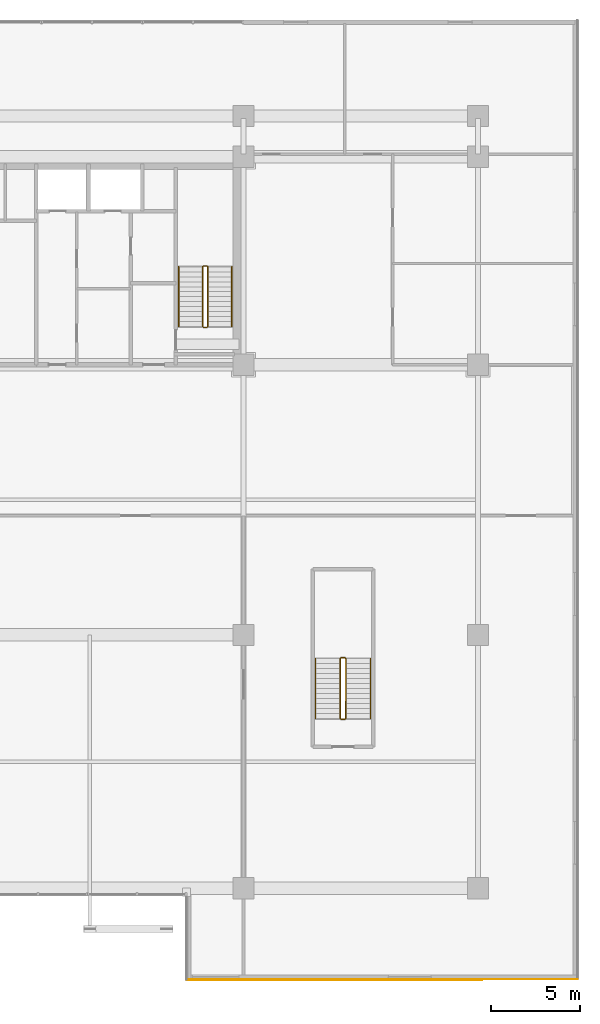
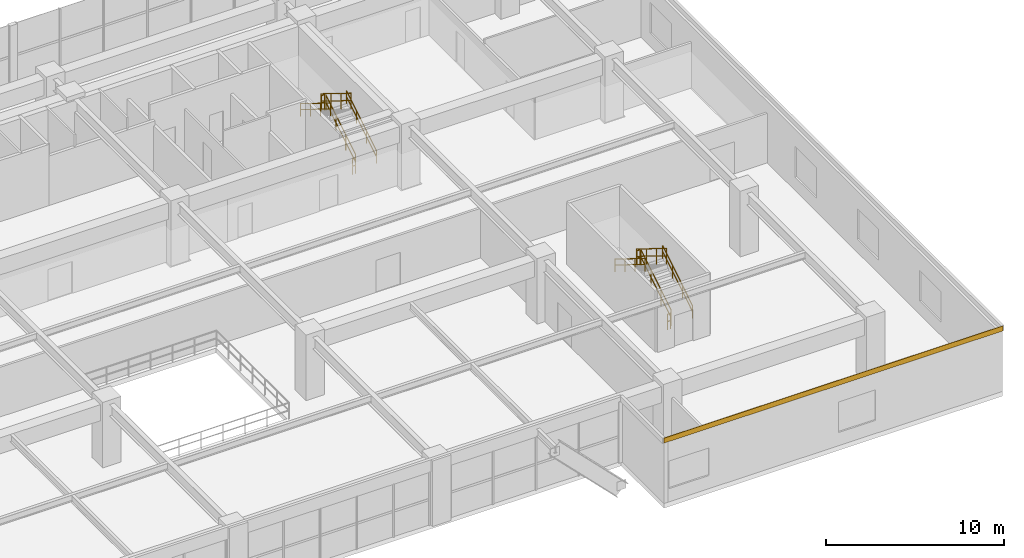
# One storey, part 23 of 24: 12 railings, 1 covering.
"""IFC4 building model written with IfcOpenShell, lengths in metres."""

from ifc_helpers import new_model, si_unit, direction, frame, origin, origin_2d, place, context, subcontext, project, spatial, rectangle, extrude, source, transform, mapped, material, layer, layer_set, type_object, element, save


model = new_model("IFC4")

# Units and contexts
model_context = context("Model", 3, precision=1e-05, world=origin(), true_north=direction((0.0, 1.0)))
body_context = subcontext(model_context, "Body", "Model", "MODEL_VIEW")
ifc_project = project(units=[si_unit("LENGTHUNIT", "METRE"), si_unit("AREAUNIT", "SQUARE_METRE"), si_unit("VOLUMEUNIT", "CUBIC_METRE"), si_unit("PLANEANGLEUNIT", "RADIAN"), si_unit("MASSUNIT", "GRAM", prefix="KILO")], contexts=[model_context])

# Site, building, storey
site_placement = place(None, origin())
site = spatial("IfcSite", under=ifc_project, at=site_placement, CompositionType="ELEMENT")
building_placement = place(site_placement, origin())
building = spatial("IfcBuilding", under=site, at=building_placement, Name="Trelvane Seafront Commons", CompositionType="ELEMENT")
storey_placement = place(building_placement, frame((0.0, 0.0, 5.199951171875)))
storey = spatial("IfcBuildingStorey", under=building, at=storey_placement, Name="L01", CompositionType="ELEMENT", Elevation=5.199951171875)

# Railings
ifc_material_1 = material(Name="Stainless steel balustrade", Category="steel")
railing_type_1 = type_object("IfcRailingType", Name="ARCH-SRL-GUARD", PredefinedType="GUARDRAIL", material=ifc_material_1)
railing_1_placement = place(storey_placement, frame((56.800048828125, 35.550048828125, 0.173095703125)))
element("IfcRailing", 1, at=railing_1_placement, inside=storey, type_object=railing_type_1, Name="L01 ST-2 stair guard 1", PredefinedType="GUARDRAIL", context=body_context, shape_type="SweptSolid", body=[
    extrude(rectangle(XDim=0.048095703125, YDim=0.048095703125, at=origin_2d()), frame((0.0, 0.0, 1.076171875), z_axis=(0.0, 0.850606129759, 0.525803396734), x_axis=(-1.0, 0.0, 0.0)), (0.0, 0.0, 1.0), 3.949951171875),
    extrude(rectangle(XDim=0.048095703125, YDim=0.048095703125, at=origin_2d()), frame((0.0, 0.0, 0.572021484375), z_axis=(0.0, 0.850606129759, 0.525803396734), x_axis=(-1.0, 0.0, 0.0)), (0.0, 0.0, 1.0), 3.949951171875),
    extrude(rectangle(XDim=0.0419921875, YDim=0.0419921875, at=origin_2d()), origin(), (0.0, 0.0, 1.0), 1.076171875),
    extrude(rectangle(XDim=0.0419921875, YDim=0.0419921875, at=origin_2d()), frame((0.0, 1.119873046875, 0.6923828125)), (0.0, 0.0, 1.0), 1.076171875),
    extrude(rectangle(XDim=0.0419921875, YDim=0.0419921875, at=origin_2d()), frame((0.0, 2.239990234375, 1.384521484375)), (0.0, 0.0, 1.0), 1.076171875),
    extrude(rectangle(XDim=0.0419921875, YDim=0.0419921875, at=origin_2d()), frame((0.0, 3.35986328125, 2.076904296875)), (0.0, 0.0, 1.0), 1.076171875),
])
railing_2_placement = place(storey_placement, frame((56.75, 38.9599609375, 2.25)))
element("IfcRailing", 2, at=railing_2_placement, inside=storey, type_object=railing_type_1, Name="L01 ST-2 stair guard 2", PredefinedType="GUARDRAIL", context=body_context, shape_type="SweptSolid", body=[
    extrude(rectangle(XDim=0.048095703125, YDim=0.048095703125, at=origin_2d()), frame((0.0, 0.0, 1.076171875), z_axis=(-1.0, 0.0, 0.0), x_axis=(0.0, -1.0, 0.0)), (0.0, 0.0, 1.0), 0.199951171875),
    extrude(rectangle(XDim=0.048095703125, YDim=0.048095703125, at=origin_2d()), frame((0.0, 0.0, 0.572021484375), z_axis=(-1.0, 0.0, 0.0), x_axis=(0.0, -1.0, 0.0)), (0.0, 0.0, 1.0), 0.199951171875),
    extrude(rectangle(XDim=0.0419921875, YDim=0.0419921875, at=origin_2d()), origin(), (0.0, 0.0, 1.0), 1.076171875),
    extrude(rectangle(XDim=0.0419921875, YDim=0.0419921875, at=origin_2d()), frame((-0.199951171875, 0.0, 0.0)), (0.0, 0.0, 1.0), 1.076171875),
])
railing_3_placement = place(storey_placement, frame((56.5, 38.909912109375, 2.423095703125)))
element("IfcRailing", 3, at=railing_3_placement, inside=storey, type_object=railing_type_1, Name="L01 ST-2 stair guard 3", PredefinedType="GUARDRAIL", context=body_context, shape_type="SweptSolid", body=[
    extrude(rectangle(XDim=0.048095703125, YDim=0.048095703125, at=origin_2d()), frame((0.0, 0.0, 1.076171875), z_axis=(0.0, -0.850606129759, 0.525803396734), x_axis=(1.0, 0.0, 0.0)), (0.0, 0.0, 1.0), 3.949951171875),
    extrude(rectangle(XDim=0.048095703125, YDim=0.048095703125, at=origin_2d()), frame((0.0, 0.0, 0.572021484375), z_axis=(0.0, -0.850606129759, 0.525803396734), x_axis=(1.0, 0.0, 0.0)), (0.0, 0.0, 1.0), 3.949951171875),
    extrude(rectangle(XDim=0.0419921875, YDim=0.0419921875, at=origin_2d()), origin(), (0.0, 0.0, 1.0), 1.076171875),
    extrude(rectangle(XDim=0.0419921875, YDim=0.0419921875, at=origin_2d()), frame((0.0, -1.119873046875, 0.6923828125)), (0.0, 0.0, 1.0), 1.076171875),
    extrude(rectangle(XDim=0.0419921875, YDim=0.0419921875, at=origin_2d()), frame((0.0, -2.239990234375, 1.384521484375)), (0.0, 0.0, 1.0), 1.076171875),
    extrude(rectangle(XDim=0.0419921875, YDim=0.0419921875, at=origin_2d()), frame((0.0, -3.35986328125, 2.076904296875)), (0.0, 0.0, 1.0), 1.076171875),
])
railing_4_placement = place(storey_placement, frame((56.75, 35.5, 0.0)))
element("IfcRailing", 4, at=railing_4_placement, inside=storey, type_object=railing_type_1, Name="L01 ST-2 stair guard 4", PredefinedType="GUARDRAIL", context=body_context, shape_type="SweptSolid", body=[
    extrude(rectangle(XDim=0.048095703125, YDim=0.048095703125, at=origin_2d()), frame((0.0, 0.0, 1.076171875), z_axis=(-1.0, 0.0, 0.0), x_axis=(0.0, -1.0, 0.0)), (0.0, 0.0, 1.0), 0.199951171875),
    extrude(rectangle(XDim=0.048095703125, YDim=0.048095703125, at=origin_2d()), frame((0.0, 0.0, 0.572021484375), z_axis=(-1.0, 0.0, 0.0), x_axis=(0.0, -1.0, 0.0)), (0.0, 0.0, 1.0), 0.199951171875),
    extrude(rectangle(XDim=0.0419921875, YDim=0.0419921875, at=origin_2d()), origin(), (0.0, 0.0, 1.0), 1.076171875),
    extrude(rectangle(XDim=0.0419921875, YDim=0.0419921875, at=origin_2d()), frame((-0.199951171875, 0.0, 0.0)), (0.0, 0.0, 1.0), 1.076171875),
])
railing_5_placement = place(storey_placement, frame((64.550048828125, 13.5, 0.173095703125)))
element("IfcRailing", 5, at=railing_5_placement, inside=storey, type_object=railing_type_1, Name="L01 ST-4 stair guard 1", PredefinedType="GUARDRAIL", context=body_context, shape_type="SweptSolid", body=[
    extrude(rectangle(XDim=0.048095703125, YDim=0.048095703125, at=origin_2d()), frame((0.0, 0.0, 1.076171875), z_axis=(0.0, 0.850623216509, 0.525775754039), x_axis=(-1.0, 0.0, 0.0)), (0.0, 0.0, 1.0), 3.9501953125),
    extrude(rectangle(XDim=0.048095703125, YDim=0.048095703125, at=origin_2d()), frame((0.0, 0.0, 0.572021484375), z_axis=(0.0, 0.850623216509, 0.525775754039), x_axis=(-1.0, 0.0, 0.0)), (0.0, 0.0, 1.0), 3.9501953125),
    extrude(rectangle(XDim=0.0419921875, YDim=0.0419921875, at=origin_2d()), origin(), (0.0, 0.0, 1.0), 1.076171875),
    extrude(rectangle(XDim=0.0419921875, YDim=0.0419921875, at=origin_2d()), frame((0.0, 1.1201171875, 0.6923828125)), (0.0, 0.0, 1.0), 1.076171875),
    extrude(rectangle(XDim=0.0419921875, YDim=0.0419921875, at=origin_2d()), frame((0.0, 2.239990234375, 1.384521484375)), (0.0, 0.0, 1.0), 1.076171875),
    extrude(rectangle(XDim=0.0419921875, YDim=0.0419921875, at=origin_2d()), frame((0.0, 3.360107421875, 2.076904296875)), (0.0, 0.0, 1.0), 1.076171875),
])
railing_6_placement = place(storey_placement, frame((64.5, 16.909912109375, 2.25)))
element("IfcRailing", 6, at=railing_6_placement, inside=storey, type_object=railing_type_1, Name="L01 ST-4 stair guard 2", PredefinedType="GUARDRAIL", context=body_context, shape_type="SweptSolid", body=[
    extrude(rectangle(XDim=0.048095703125, YDim=0.048095703125, at=origin_2d()), frame((0.0, 0.0, 1.076171875), z_axis=(-1.0, 0.0, 0.0), x_axis=(0.0, -1.0, 0.0)), (0.0, 0.0, 1.0), 0.199951171875),
    extrude(rectangle(XDim=0.048095703125, YDim=0.048095703125, at=origin_2d()), frame((0.0, 0.0, 0.572021484375), z_axis=(-1.0, 0.0, 0.0), x_axis=(0.0, -1.0, 0.0)), (0.0, 0.0, 1.0), 0.199951171875),
    extrude(rectangle(XDim=0.0419921875, YDim=0.0419921875, at=origin_2d()), origin(), (0.0, 0.0, 1.0), 1.076171875),
    extrude(rectangle(XDim=0.0419921875, YDim=0.0419921875, at=origin_2d()), frame((-0.199951171875, 0.0, 0.0)), (0.0, 0.0, 1.0), 1.076171875),
])
railing_7_placement = place(storey_placement, frame((64.25, 16.860107421875, 2.423095703125)))
element("IfcRailing", 7, at=railing_7_placement, inside=storey, type_object=railing_type_1, Name="L01 ST-4 stair guard 3", PredefinedType="GUARDRAIL", context=body_context, shape_type="SweptSolid", body=[
    extrude(rectangle(XDim=0.048095703125, YDim=0.048095703125, at=origin_2d()), frame((0.0, 0.0, 1.076171875), z_axis=(0.0, -0.850623216509, 0.525775754039), x_axis=(1.0, 0.0, 0.0)), (0.0, 0.0, 1.0), 3.9501953125),
    extrude(rectangle(XDim=0.048095703125, YDim=0.048095703125, at=origin_2d()), frame((0.0, 0.0, 0.572021484375), z_axis=(0.0, -0.850623216509, 0.525775754039), x_axis=(1.0, 0.0, 0.0)), (0.0, 0.0, 1.0), 3.9501953125),
    extrude(rectangle(XDim=0.0419921875, YDim=0.0419921875, at=origin_2d()), origin(), (0.0, 0.0, 1.0), 1.076171875),
    extrude(rectangle(XDim=0.0419921875, YDim=0.0419921875, at=origin_2d()), frame((0.0, -1.1201171875, 0.6923828125)), (0.0, 0.0, 1.0), 1.076171875),
    extrude(rectangle(XDim=0.0419921875, YDim=0.0419921875, at=origin_2d()), frame((0.0, -2.239990234375, 1.384521484375)), (0.0, 0.0, 1.0), 1.076171875),
    extrude(rectangle(XDim=0.0419921875, YDim=0.0419921875, at=origin_2d()), frame((0.0, -3.360107421875, 2.076904296875)), (0.0, 0.0, 1.0), 1.076171875),
])
railing_8_placement = place(storey_placement, frame((64.5, 13.449951171875, 0.0)))
element("IfcRailing", 8, at=railing_8_placement, inside=storey, type_object=railing_type_1, Name="L01 ST-4 stair guard 4", PredefinedType="GUARDRAIL", context=body_context, shape_type="SweptSolid", body=[
    extrude(rectangle(XDim=0.048095703125, YDim=0.048095703125, at=origin_2d()), frame((0.0, 0.0, 1.076171875), z_axis=(-1.0, 0.0, 0.0), x_axis=(0.0, -1.0, 0.0)), (0.0, 0.0, 1.0), 0.199951171875),
    extrude(rectangle(XDim=0.048095703125, YDim=0.048095703125, at=origin_2d()), frame((0.0, 0.0, 0.572021484375), z_axis=(-1.0, 0.0, 0.0), x_axis=(0.0, -1.0, 0.0)), (0.0, 0.0, 1.0), 0.199951171875),
    extrude(rectangle(XDim=0.0419921875, YDim=0.0419921875, at=origin_2d()), origin(), (0.0, 0.0, 1.0), 1.076171875),
    extrude(rectangle(XDim=0.0419921875, YDim=0.0419921875, at=origin_2d()), frame((-0.199951171875, 0.0, 0.0)), (0.0, 0.0, 1.0), 1.076171875),
])
railing_type_2 = type_object("IfcRailingType", Name="ARCH-SRL-HAND", PredefinedType="HANDRAIL", material=ifc_material_1)
railing_9_placement = place(storey_placement, frame((58.14990234375, 35.550048828125, 0.173095703125)))
element("IfcRailing", 9, at=railing_9_placement, inside=storey, type_object=railing_type_2, Name="L01 ST-2 stair handrail 1", PredefinedType="HANDRAIL", context=body_context, shape_type="SweptSolid", body=[
    extrude(rectangle(XDim=0.048095703125, YDim=0.048095703125, at=origin_2d()), frame((0.0, 0.0, 0.8759765625), z_axis=(0.0, 0.850606129759, 0.525803396734), x_axis=(-1.0, 0.0, 0.0)), (0.0, 0.0, 1.0), 3.949951171875),
    extrude(rectangle(XDim=0.048095703125, YDim=0.048095703125, at=origin_2d()), frame((0.0, 0.0, 0.468017578125), z_axis=(0.0, 0.850606129759, 0.525803396734), x_axis=(-1.0, 0.0, 0.0)), (0.0, 0.0, 1.0), 3.949951171875),
    extrude(rectangle(XDim=0.0419921875, YDim=0.0419921875, at=origin_2d()), origin(), (0.0, 0.0, 1.0), 0.8759765625),
    extrude(rectangle(XDim=0.0419921875, YDim=0.0419921875, at=origin_2d()), frame((0.0, 1.119873046875, 0.6923828125)), (0.0, 0.0, 1.0), 0.8759765625),
    extrude(rectangle(XDim=0.0419921875, YDim=0.0419921875, at=origin_2d()), frame((0.0, 2.239990234375, 1.384521484375)), (0.0, 0.0, 1.0), 0.8759765625),
    extrude(rectangle(XDim=0.0419921875, YDim=0.0419921875, at=origin_2d()), frame((0.0, 3.35986328125, 2.076904296875)), (0.0, 0.0, 1.0), 0.8759765625),
])
railing_10_placement = place(storey_placement, frame((55.14990234375, 38.909912109375, 2.423095703125)))
element("IfcRailing", 10, at=railing_10_placement, inside=storey, type_object=railing_type_2, Name="L01 ST-2 stair handrail 2", PredefinedType="HANDRAIL", context=body_context, shape_type="SweptSolid", body=[
    extrude(rectangle(XDim=0.048095703125, YDim=0.048095703125, at=origin_2d()), frame((0.0, 0.0, 0.8759765625), z_axis=(0.0, -0.850606129759, 0.525803396734), x_axis=(1.0, 0.0, 0.0)), (0.0, 0.0, 1.0), 3.949951171875),
    extrude(rectangle(XDim=0.048095703125, YDim=0.048095703125, at=origin_2d()), frame((0.0, 0.0, 0.468017578125), z_axis=(0.0, -0.850606129759, 0.525803396734), x_axis=(1.0, 0.0, 0.0)), (0.0, 0.0, 1.0), 3.949951171875),
    extrude(rectangle(XDim=0.0419921875, YDim=0.0419921875, at=origin_2d()), origin(), (0.0, 0.0, 1.0), 0.8759765625),
    extrude(rectangle(XDim=0.0419921875, YDim=0.0419921875, at=origin_2d()), frame((0.0, -1.119873046875, 0.6923828125)), (0.0, 0.0, 1.0), 0.8759765625),
    extrude(rectangle(XDim=0.0419921875, YDim=0.0419921875, at=origin_2d()), frame((0.0, -2.239990234375, 1.384521484375)), (0.0, 0.0, 1.0), 0.8759765625),
    extrude(rectangle(XDim=0.0419921875, YDim=0.0419921875, at=origin_2d()), frame((0.0, -3.35986328125, 2.076904296875)), (0.0, 0.0, 1.0), 0.8759765625),
])
railing_11_placement = place(storey_placement, frame((65.949951171875, 13.5, 0.173095703125)))
element("IfcRailing", 11, at=railing_11_placement, inside=storey, type_object=railing_type_2, Name="L01 ST-4 stair handrail 1", PredefinedType="HANDRAIL", context=body_context, shape_type="SweptSolid", body=[
    extrude(rectangle(XDim=0.048095703125, YDim=0.048095703125, at=origin_2d()), frame((0.0, 0.0, 0.8759765625), z_axis=(0.0, 0.850623216509, 0.525775754039), x_axis=(-1.0, 0.0, 0.0)), (0.0, 0.0, 1.0), 3.9501953125),
    extrude(rectangle(XDim=0.048095703125, YDim=0.048095703125, at=origin_2d()), frame((0.0, 0.0, 0.468017578125), z_axis=(0.0, 0.850623216509, 0.525775754039), x_axis=(-1.0, 0.0, 0.0)), (0.0, 0.0, 1.0), 3.9501953125),
    extrude(rectangle(XDim=0.0419921875, YDim=0.0419921875, at=origin_2d()), origin(), (0.0, 0.0, 1.0), 0.8759765625),
    extrude(rectangle(XDim=0.0419921875, YDim=0.0419921875, at=origin_2d()), frame((0.0, 1.1201171875, 0.6923828125)), (0.0, 0.0, 1.0), 0.8759765625),
    extrude(rectangle(XDim=0.0419921875, YDim=0.0419921875, at=origin_2d()), frame((0.0, 2.239990234375, 1.384521484375)), (0.0, 0.0, 1.0), 0.8759765625),
    extrude(rectangle(XDim=0.0419921875, YDim=0.0419921875, at=origin_2d()), frame((0.0, 3.360107421875, 2.076904296875)), (0.0, 0.0, 1.0), 0.8759765625),
])
railing_12_placement = place(storey_placement, frame((62.85009765625, 16.860107421875, 2.423095703125)))
element("IfcRailing", 12, at=railing_12_placement, inside=storey, type_object=railing_type_2, Name="L01 ST-4 stair handrail 2", PredefinedType="HANDRAIL", context=body_context, shape_type="SweptSolid", body=[
    extrude(rectangle(XDim=0.048095703125, YDim=0.048095703125, at=origin_2d()), frame((0.0, 0.0, 0.8759765625), z_axis=(0.0, -0.850623216509, 0.525775754039), x_axis=(1.0, 0.0, 0.0)), (0.0, 0.0, 1.0), 3.9501953125),
    extrude(rectangle(XDim=0.048095703125, YDim=0.048095703125, at=origin_2d()), frame((0.0, 0.0, 0.468017578125), z_axis=(0.0, -0.850623216509, 0.525775754039), x_axis=(1.0, 0.0, 0.0)), (0.0, 0.0, 1.0), 3.9501953125),
    extrude(rectangle(XDim=0.0419921875, YDim=0.0419921875, at=origin_2d()), origin(), (0.0, 0.0, 1.0), 0.8759765625),
    extrude(rectangle(XDim=0.0419921875, YDim=0.0419921875, at=origin_2d()), frame((0.0, -1.1201171875, 0.6923828125)), (0.0, 0.0, 1.0), 0.8759765625),
    extrude(rectangle(XDim=0.0419921875, YDim=0.0419921875, at=origin_2d()), frame((0.0, -2.239990234375, 1.384521484375)), (0.0, 0.0, 1.0), 0.8759765625),
    extrude(rectangle(XDim=0.0419921875, YDim=0.0419921875, at=origin_2d()), frame((0.0, -3.360107421875, 2.076904296875)), (0.0, 0.0, 1.0), 0.8759765625),
])

# Covering
ifc_material_2 = material(Name="Anodised pale-silver aluminium", Category="aluminium")
ifc_layer = layer(ifc_material_2, 0.034912109375, Name="ARCH-COV-CLAD35")
ifc_layer_set = layer_set([ifc_layer], Name="Anodised pale-silver aluminium")
covering_type = type_object("IfcCoveringType", Name="ARCH-COV-CLAD35", PredefinedType="CLADDING", material=ifc_layer_set)
shared_shape = source(origin(), body_context, "Body", "SweptSolid", [
    extrude(rectangle(XDim=22.0, YDim=0.034912109375, at=origin_2d()), origin(), (0.0, 0.0, 1.0), 0.340087890625),
])
covering_placement = place(storey_placement, frame((66.60009765625, -1.199951171875, 4.16015625), z_axis=(0.0, 0.0, 1.0), x_axis=(-1.0, 0.0, 0.0)))
element("IfcCovering", 13, at=covering_placement, inside=storey, type_object=covering_type, Name="CLD-L01-00004", PredefinedType="CLADDING", context=body_context, shape_type="MappedRepresentation", body=[
    mapped(shared_shape, transform((0.0, 0.0, 0.0), x_axis=(1.0, 0.0, 0.0), y_axis=(0.0, 1.0, 0.0), z_axis=(0.0, 0.0, 1.0), scale=1.0)),
])

save(model, "model.ifc")
